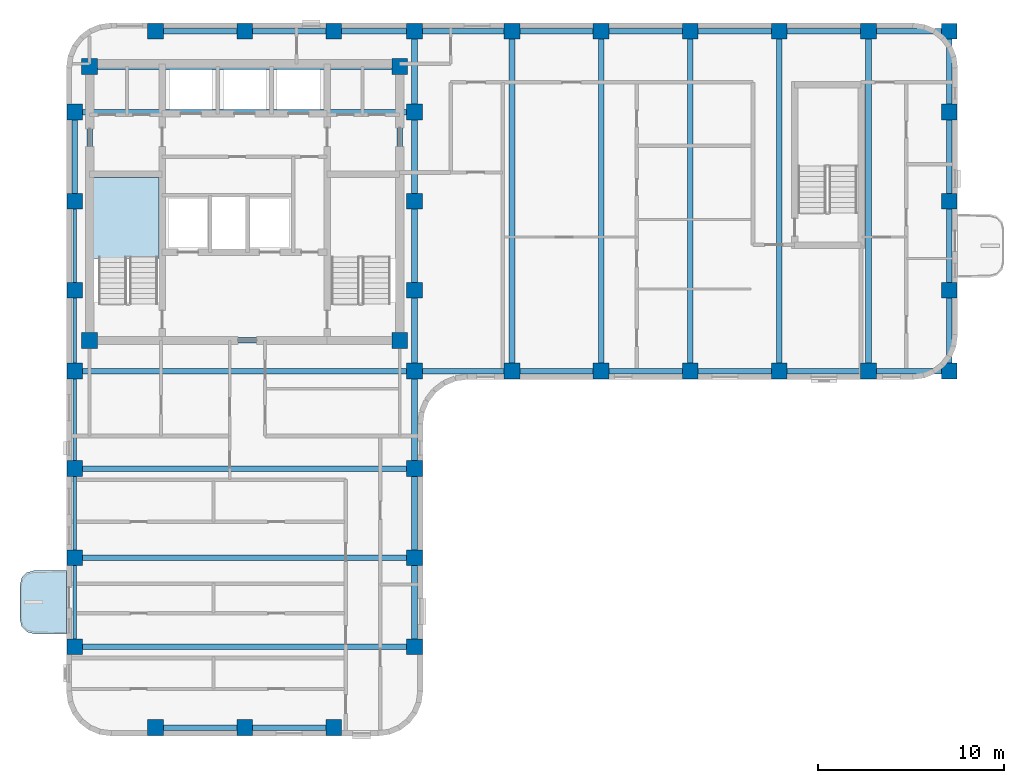
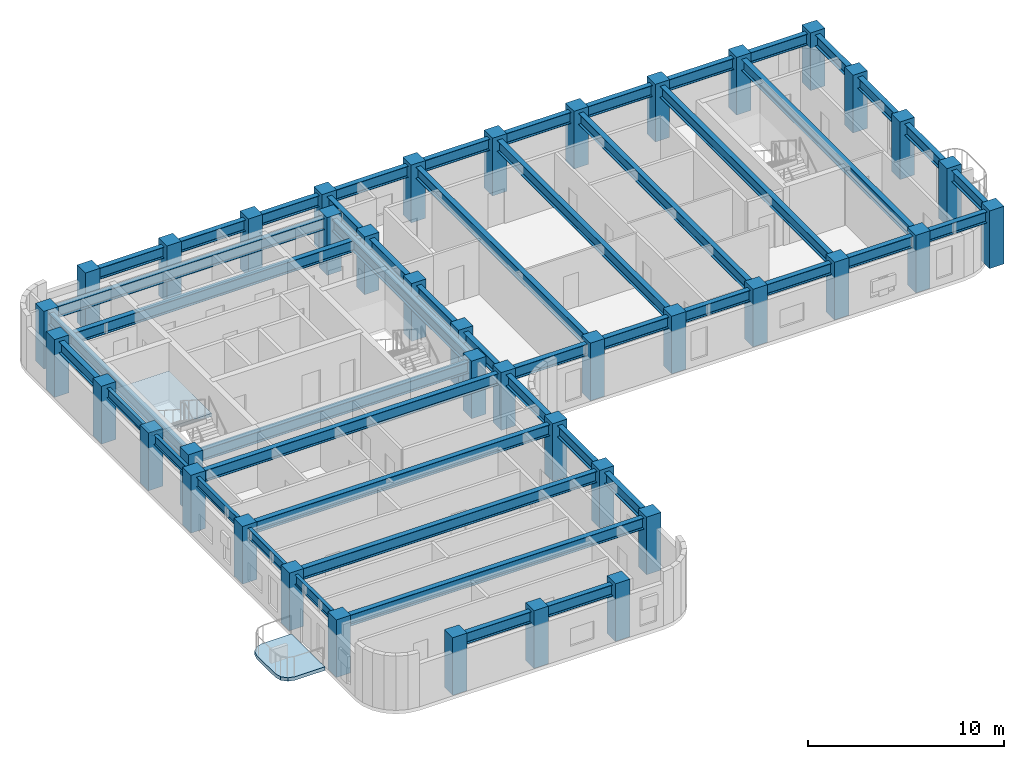
# One storey, part 1 of 10: 48 beams, 40 columns, 2 slabs, 1 element without a shape of its own.
"""IFC4 building model written with IfcOpenShell, lengths in metres."""

from ifc_helpers import new_model, si_unit, direction, frame, origin, origin_2d, place, context, subcontext, project, spatial, polyline, rectangle, i_section, outline, extrude, material, layer, layer_set, material_profile, profile_set, type_object, element, aggregate, save


model = new_model("IFC4")

# Units and contexts
model_context = context("Model", 3, precision=1e-05, world=origin(), true_north=direction((0.0, 1.0)))
body_context = subcontext(model_context, "Body", "Model", "MODEL_VIEW")
ifc_project = project(units=[si_unit("LENGTHUNIT", "METRE"), si_unit("AREAUNIT", "SQUARE_METRE"), si_unit("VOLUMEUNIT", "CUBIC_METRE"), si_unit("PLANEANGLEUNIT", "RADIAN"), si_unit("MASSUNIT", "GRAM", prefix="KILO")], contexts=[model_context])

# Site, building, storey
site_placement = place(None, origin())
site = spatial("IfcSite", under=ifc_project, at=site_placement, CompositionType="ELEMENT")
building_placement = place(site_placement, origin())
building = spatial("IfcBuilding", under=site, at=building_placement, Name="Orvandelia Arch Residences", CompositionType="ELEMENT")
storey_placement = place(building_placement, frame((0.0, 0.0, 232.60009765625)))
storey = spatial("IfcBuildingStorey", under=building, at=storey_placement, Name="L61", CompositionType="ELEMENT", Elevation=232.60009765625)

# Columns
ifc_material_1 = material(Name="Concrete C60/75", Category="concrete")
ifc_material_profile_1 = material_profile(ifc_material_1, rectangle(XDim=0.85009765625, YDim=0.85009765625, at=origin_2d()), Name="Concrete C60/75", Category="concrete")
ifc_profile_set_1 = profile_set([ifc_material_profile_1], Name="Concrete C60/75")
column_type = type_object("IfcColumnType", Name="COL-TWR-850", PredefinedType="COLUMN", material=ifc_profile_set_1)
for number, where, z_axis, x_axis, name in (
    (1, (5.25, 14.39990234375, 0.0), (0.0, 0.0, 1.0), (1.0, 0.0, 0.0), "Structural Column L61-W-W-144"),
    (2, (5.25, 19.199951171875, 0.0), (0.0, 0.0, 1.0), (1.0, 0.0, 0.0), "Structural Column L61-W-W-192"),
    (3, (5.25, 24.0, 0.0), (0.0, 0.0, 1.0), (1.0, 0.0, 0.0), "Structural Column L61-W-W-240"),
    (4, (5.25, 29.25, 0.0), (0.0, 0.0, 1.0), (1.0, 0.0, 0.0), "Structural Column L61-W-W-292"),
    (5, (5.25, 33.60009765625, 0.0), (0.0, 0.0, 1.0), (1.0, 0.0, 0.0), "Structural Column L61-W-W-336"),
    (6, (5.25, 38.39990234375, 0.0), (0.0, 0.0, 1.0), (1.0, 0.0, 0.0), "Structural Column L61-W-W-384"),
    (7, (5.25, 43.199951171875, 0.0), (0.0, 0.0, 1.0), (1.0, 0.0, 0.0), "Structural Column L61-W-W-432"),
    (8, (6.050048828125, 30.89990234375, 0.0), (0.0, 0.0, 1.0), (1.0, 0.0, 0.0), "Structural Column L61-CR-SW"),
    (9, (6.050048828125, 45.64990234375, 0.0), (0.0, 0.0, 1.0), (1.0, 0.0, 0.0), "Structural Column L61-CR-NW"),
    (10, (9.60009765625, 10.050048828125, 0.0), (0.0, 0.0, 1.0), (1.0, 0.0, 0.0), "Structural Column L61-W-S-96"),
    (11, (9.60009765625, 47.550048828125, 0.0), (0.0, 0.0, 1.0), (1.0, 0.0, 0.0), "Structural Column L61-W-N-96"),
    (12, (14.39990234375, 10.050048828125, 0.0), (0.0, 0.0, 1.0), (1.0, 0.0, 0.0), "Structural Column L61-W-S-144"),
    (13, (14.39990234375, 47.550048828125, 0.0), (0.0, 0.0, 1.0), (1.0, 0.0, 0.0), "Structural Column L61-W-N-144"),
    (14, (19.199951171875, 10.050048828125, 0.0), (0.0, 0.0, 1.0), (1.0, 0.0, 0.0), "Structural Column L61-W-S-192"),
    (15, (19.199951171875, 47.550048828125, 0.0), (0.0, 0.0, 1.0), (1.0, 0.0, 0.0), "Structural Column L61-W-N-192"),
    (16, (22.75, 30.89990234375, 0.0), (0.0, 0.0, 1.0), (1.0, 0.0, 0.0), "Structural Column L61-CR-SE"),
    (17, (22.75, 45.64990234375, 0.0), (0.0, 0.0, 1.0), (1.0, 0.0, 0.0), "Structural Column L61-CR-NE"),
    (18, (23.550048828125, 14.39990234375, 0.0), (0.0, 0.0, 1.0), (1.0, 0.0, 0.0), "Structural Column L61-W-E-144"),
    (19, (23.550048828125, 19.199951171875, 0.0), (0.0, 0.0, 1.0), (1.0, 0.0, 0.0), "Structural Column L61-W-E-192"),
    (20, (23.550048828125, 24.0, 0.0), (0.0, 0.0, 1.0), (1.0, 0.0, 0.0), "Structural Column L61-W-E-240"),
    (21, (23.550048828125, 29.25, 0.0), (0.0, 0.0, 1.0), (1.0, 0.0, 0.0), "Structural Column L61-W-E-292"),
    (22, (23.550048828125, 33.60009765625, 0.0), (0.0, 0.0, 1.0), (1.0, 0.0, 0.0), "Structural Column L61-W-E-336"),
    (23, (23.550048828125, 38.39990234375, 0.0), (0.0, 0.0, 1.0), (1.0, 0.0, 0.0), "Structural Column L61-W-E-384"),
    (24, (23.550048828125, 43.199951171875, 0.0), (0.0, 0.0, 1.0), (1.0, 0.0, 0.0), "Structural Column L61-W-E-432"),
    (25, (23.550048828125, 47.550048828125, 0.0), (0.0, 0.0, 1.0), (1.0, 0.0, 0.0), "Structural Column L61-W-N-235"),
    (26, (28.800048828125, 29.25, 0.0), (0.0, 0.0, 1.0), (1.0, 0.0, 0.0), "Structural Column L61-E-S-288"),
    (27, (28.800048828125, 47.550048828125, 0.0), (0.0, 0.0, 1.0), (1.0, 0.0, 0.0), "Structural Column L61-E-N-288"),
    (28, (33.60009765625, 29.25, 0.0), (0.0, 0.0, 1.0), (1.0, 0.0, 0.0), "Structural Column L61-E-S-336"),
    (29, (33.60009765625, 47.550048828125, 0.0), (0.0, 0.0, 1.0), (1.0, 0.0, 0.0), "Structural Column L61-E-N-336"),
    (30, (38.39990234375, 29.25, 0.0), (0.0, 0.0, 1.0), (1.0, 0.0, 0.0), "Structural Column L61-E-S-384"),
    (31, (38.39990234375, 47.550048828125, 0.0), (0.0, 0.0, 1.0), (1.0, 0.0, 0.0), "Structural Column L61-E-N-384"),
    (32, (43.199951171875, 29.25, 0.0), (0.0, 0.0, 1.0), (1.0, 0.0, 0.0), "Structural Column L61-E-S-432"),
    (33, (43.199951171875, 47.550048828125, 0.0), (0.0, 0.0, 1.0), (1.0, 0.0, 0.0), "Structural Column L61-E-N-432"),
    (34, (48.0, 29.25, 0.0), (0.0, 0.0, 1.0), (1.0, 0.0, 0.0), "Structural Column L61-E-S-480"),
    (35, (48.0, 47.550048828125, 0.0), (0.0, 0.0, 1.0), (1.0, 0.0, 0.0), "Structural Column L61-E-N-480"),
    (36, (52.35009765625, 29.25, 0.0), (0.0, 0.0, 1.0), (1.0, 0.0, 0.0), "Structural Column L61-E-S-523"),
    (37, (52.35009765625, 33.60009765625, 0.0), (0.0, 0.0, 1.0), (1.0, 0.0, 0.0), "Structural Column L61-E-523-336"),
    (38, (52.35009765625, 38.39990234375, 0.0), (0.0, 0.0, 1.0), (1.0, 0.0, 0.0), "Structural Column L61-E-523-384"),
    (39, (52.35009765625, 43.199951171875, 0.0), (0.0, 0.0, 1.0), (1.0, 0.0, 0.0), "Structural Column L61-E-523-432"),
    (40, (52.35009765625, 47.550048828125, 0.0), (0.0, 0.0, 1.0), (1.0, 0.0, 0.0), "Structural Column L61-E-N-523"),
):
    element("IfcColumn", number, at=place(storey_placement, frame(where, z_axis=z_axis, x_axis=x_axis)), inside=storey, type_object=column_type, Name=name, PredefinedType="COLUMN", context=body_context, shape_type="SweptSolid", body=[
        extrude(rectangle(XDim=0.85009765625, YDim=0.85009765625, at=origin_2d()), origin(), (0.0, 0.0, 1.0), 3.599853515625),
    ])

# Beams
ifc_material_2 = material(Name="Structural Steel SM355 (355 MPa)", Category="steel")
ifc_material_profile_2 = material_profile(ifc_material_2, i_section(OverallWidth=0.300048828125, OverallDepth=0.699951171875, WebThickness=0.012939453125, FlangeThickness=0.02392578125, FilletRadius=0.02392578125, at=origin_2d()), Name="Structural Steel SM355 (355 MPa)", Category="steel")
ifc_profile_set_2 = profile_set([ifc_material_profile_2], Name="Structural Steel SM355 (355 MPa)")
beam_type_1 = type_object("IfcBeamType", Name="BM-GRD-H700", PredefinedType="BEAM", material=ifc_profile_set_2)
beam_1_placement = place(storey_placement, frame((5.25, 38.39990234375, 3.02978515625), z_axis=(0.0, 1.0, 0.0), x_axis=(-1.0, 0.0, 0.0)))
element("IfcBeam", 41, at=beam_1_placement, inside=storey, type_object=beam_type_1, Name="Structural Frame Beam L61-NS-006", PredefinedType="BEAM", context=body_context, shape_type="SweptSolid", body=[
    extrude(i_section(OverallWidth=0.300048828125, OverallDepth=0.699951171875, WebThickness=0.012939453125, FlangeThickness=0.02392578125, FilletRadius=0.02392578125, at=origin_2d()), origin(), (0.0, 0.0, 1.0), 4.800048828125),
])
for number, where, z_axis, x_axis, name in (
    (42, (6.050048828125, 30.89990234375, 3.02978515625), (0.0, 1.0, 0.0), (-1.0, 0.0, 0.0), "Structural Frame Beam L61-NS-007"),
    (43, (22.75, 30.89990234375, 3.02978515625), (0.0, 1.0, 0.0), (-1.0, 0.0, 0.0), "Structural Frame Beam L61-NS-008"),
):
    element("IfcBeam", number, at=place(storey_placement, frame(where, z_axis=z_axis, x_axis=x_axis)), inside=storey, type_object=beam_type_1, Name=name, PredefinedType="BEAM", context=body_context, shape_type="SweptSolid", body=[
        extrude(i_section(OverallWidth=0.300048828125, OverallDepth=0.699951171875, WebThickness=0.012939453125, FlangeThickness=0.02392578125, FilletRadius=0.02392578125, at=origin_2d()), origin(), (0.0, 0.0, 1.0), 14.75),
    ])
for number, where, z_axis, x_axis, name in (
    (44, (23.550048828125, 14.39990234375, 3.02978515625), (0.0, 1.0, 0.0), (-1.0, 0.0, 0.0), "Structural Frame Beam L61-NS-009"),
    (45, (23.550048828125, 19.199951171875, 3.02978515625), (0.0, 1.0, 0.0), (-1.0, 0.0, 0.0), "Structural Frame Beam L61-NS-010"),
):
    element("IfcBeam", number, at=place(storey_placement, frame(where, z_axis=z_axis, x_axis=x_axis)), inside=storey, type_object=beam_type_1, Name=name, PredefinedType="BEAM", context=body_context, shape_type="SweptSolid", body=[
        extrude(i_section(OverallWidth=0.300048828125, OverallDepth=0.699951171875, WebThickness=0.012939453125, FlangeThickness=0.02392578125, FilletRadius=0.02392578125, at=origin_2d()), origin(), (0.0, 0.0, 1.0), 4.800048828125),
    ])
beam_2_placement = place(storey_placement, frame((23.550048828125, 24.0, 3.02978515625), z_axis=(0.0, 1.0, 0.0), x_axis=(-1.0, 0.0, 0.0)))
element("IfcBeam", 46, at=beam_2_placement, inside=storey, type_object=beam_type_1, Name="Structural Frame Beam L61-NS-011", PredefinedType="BEAM", context=body_context, shape_type="SweptSolid", body=[
    extrude(i_section(OverallWidth=0.300048828125, OverallDepth=0.699951171875, WebThickness=0.012939453125, FlangeThickness=0.02392578125, FilletRadius=0.02392578125, at=origin_2d()), origin(), (0.0, 0.0, 1.0), 5.25),
])
beam_3_placement = place(storey_placement, frame((23.550048828125, 29.25, 3.02978515625), z_axis=(0.0, 1.0, 0.0), x_axis=(-1.0, 0.0, 0.0)))
element("IfcBeam", 47, at=beam_3_placement, inside=storey, type_object=beam_type_1, Name="Structural Frame Beam L61-NS-012", PredefinedType="BEAM", context=body_context, shape_type="SweptSolid", body=[
    extrude(i_section(OverallWidth=0.300048828125, OverallDepth=0.699951171875, WebThickness=0.012939453125, FlangeThickness=0.02392578125, FilletRadius=0.02392578125, at=origin_2d()), origin(), (0.0, 0.0, 1.0), 4.35009765625),
])
beam_4_placement = place(storey_placement, frame((23.550048828125, 33.60009765625, 3.02978515625), z_axis=(0.0, 1.0, 0.0), x_axis=(-1.0, 0.0, 0.0)))
element("IfcBeam", 48, at=beam_4_placement, inside=storey, type_object=beam_type_1, Name="Structural Frame Beam L61-NS-013", PredefinedType="BEAM", context=body_context, shape_type="SweptSolid", body=[
    extrude(i_section(OverallWidth=0.300048828125, OverallDepth=0.699951171875, WebThickness=0.012939453125, FlangeThickness=0.02392578125, FilletRadius=0.02392578125, at=origin_2d()), origin(), (0.0, 0.0, 1.0), 4.7998046875),
])
beam_5_placement = place(storey_placement, frame((23.550048828125, 38.39990234375, 3.02978515625), z_axis=(0.0, 1.0, 0.0), x_axis=(-1.0, 0.0, 0.0)))
element("IfcBeam", 49, at=beam_5_placement, inside=storey, type_object=beam_type_1, Name="Structural Frame Beam L61-NS-014", PredefinedType="BEAM", context=body_context, shape_type="SweptSolid", body=[
    extrude(i_section(OverallWidth=0.300048828125, OverallDepth=0.699951171875, WebThickness=0.012939453125, FlangeThickness=0.02392578125, FilletRadius=0.02392578125, at=origin_2d()), origin(), (0.0, 0.0, 1.0), 4.800048828125),
])
beam_6_placement = place(storey_placement, frame((23.550048828125, 43.199951171875, 3.02978515625), z_axis=(0.0, 1.0, 0.0), x_axis=(-1.0, 0.0, 0.0)))
element("IfcBeam", 50, at=beam_6_placement, inside=storey, type_object=beam_type_1, Name="Structural Frame Beam L61-NS-015", PredefinedType="BEAM", context=body_context, shape_type="SweptSolid", body=[
    extrude(i_section(OverallWidth=0.300048828125, OverallDepth=0.699951171875, WebThickness=0.012939453125, FlangeThickness=0.02392578125, FilletRadius=0.02392578125, at=origin_2d()), origin(), (0.0, 0.0, 1.0), 4.35009765625),
])
for number, where, z_axis, x_axis, name in (
    (51, (28.800048828125, 29.25, 3.02978515625), (0.0, 1.0, 0.0), (-1.0, 0.0, 0.0), "Structural Frame Beam L61-NS-016"),
    (52, (33.60009765625, 29.25, 3.02978515625), (0.0, 1.0, 0.0), (-1.0, 0.0, 0.0), "Structural Frame Beam L61-NS-017"),
    (53, (38.39990234375, 29.25, 3.02978515625), (0.0, 1.0, 0.0), (-1.0, 0.0, 0.0), "Structural Frame Beam L61-NS-018"),
    (54, (43.199951171875, 29.25, 3.02978515625), (0.0, 1.0, 0.0), (-1.0, 0.0, 0.0), "Structural Frame Beam L61-NS-019"),
    (55, (48.0, 29.25, 3.02978515625), (0.0, 1.0, 0.0), (-1.0, 0.0, 0.0), "Structural Frame Beam L61-NS-020"),
):
    element("IfcBeam", number, at=place(storey_placement, frame(where, z_axis=z_axis, x_axis=x_axis)), inside=storey, type_object=beam_type_1, Name=name, PredefinedType="BEAM", context=body_context, shape_type="SweptSolid", body=[
        extrude(i_section(OverallWidth=0.300048828125, OverallDepth=0.699951171875, WebThickness=0.012939453125, FlangeThickness=0.02392578125, FilletRadius=0.02392578125, at=origin_2d()), origin(), (0.0, 0.0, 1.0), 18.300048828125),
    ])
beam_7_placement = place(storey_placement, frame((52.35009765625, 29.25, 3.02978515625), z_axis=(0.0, 1.0, 0.0), x_axis=(-1.0, 0.0, 0.0)))
element("IfcBeam", 56, at=beam_7_placement, inside=storey, type_object=beam_type_1, Name="Structural Frame Beam L61-NS-021", PredefinedType="BEAM", context=body_context, shape_type="SweptSolid", body=[
    extrude(i_section(OverallWidth=0.300048828125, OverallDepth=0.699951171875, WebThickness=0.012939453125, FlangeThickness=0.02392578125, FilletRadius=0.02392578125, at=origin_2d()), origin(), (0.0, 0.0, 1.0), 4.35009765625),
])
beam_8_placement = place(storey_placement, frame((52.35009765625, 33.60009765625, 3.02978515625), z_axis=(0.0, 1.0, 0.0), x_axis=(-1.0, 0.0, 0.0)))
element("IfcBeam", 57, at=beam_8_placement, inside=storey, type_object=beam_type_1, Name="Structural Frame Beam L61-NS-022", PredefinedType="BEAM", context=body_context, shape_type="SweptSolid", body=[
    extrude(i_section(OverallWidth=0.300048828125, OverallDepth=0.699951171875, WebThickness=0.012939453125, FlangeThickness=0.02392578125, FilletRadius=0.02392578125, at=origin_2d()), origin(), (0.0, 0.0, 1.0), 4.7998046875),
])
beam_9_placement = place(storey_placement, frame((52.35009765625, 38.39990234375, 3.02978515625), z_axis=(0.0, 1.0, 0.0), x_axis=(-1.0, 0.0, 0.0)))
element("IfcBeam", 58, at=beam_9_placement, inside=storey, type_object=beam_type_1, Name="Structural Frame Beam L61-NS-023", PredefinedType="BEAM", context=body_context, shape_type="SweptSolid", body=[
    extrude(i_section(OverallWidth=0.300048828125, OverallDepth=0.699951171875, WebThickness=0.012939453125, FlangeThickness=0.02392578125, FilletRadius=0.02392578125, at=origin_2d()), origin(), (0.0, 0.0, 1.0), 4.800048828125),
])
beam_10_placement = place(storey_placement, frame((52.35009765625, 43.199951171875, 3.02978515625), z_axis=(0.0, 1.0, 0.0), x_axis=(-1.0, 0.0, 0.0)))
element("IfcBeam", 59, at=beam_10_placement, inside=storey, type_object=beam_type_1, Name="Structural Frame Beam L61-NS-024", PredefinedType="BEAM", context=body_context, shape_type="SweptSolid", body=[
    extrude(i_section(OverallWidth=0.300048828125, OverallDepth=0.699951171875, WebThickness=0.012939453125, FlangeThickness=0.02392578125, FilletRadius=0.02392578125, at=origin_2d()), origin(), (0.0, 0.0, 1.0), 4.35009765625),
])
beam_11_placement = place(storey_placement, frame((9.60009765625, 10.050048828125, 3.02978515625), z_axis=(1.0, 0.0, 0.0), x_axis=(0.0, 1.0, 0.0)))
element("IfcBeam", 60, at=beam_11_placement, inside=storey, type_object=beam_type_1, Name="Structural Frame Girder L61-EW-025", PredefinedType="BEAM", context=body_context, shape_type="SweptSolid", body=[
    extrude(i_section(OverallWidth=0.300048828125, OverallDepth=0.699951171875, WebThickness=0.012939453125, FlangeThickness=0.02392578125, FilletRadius=0.02392578125, at=origin_2d()), origin(), (0.0, 0.0, 1.0), 4.7998046875),
])
beam_12_placement = place(storey_placement, frame((14.39990234375, 10.050048828125, 3.02978515625), z_axis=(1.0, 0.0, 0.0), x_axis=(0.0, 1.0, 0.0)))
element("IfcBeam", 61, at=beam_12_placement, inside=storey, type_object=beam_type_1, Name="Structural Frame Girder L61-EW-026", PredefinedType="BEAM", context=body_context, shape_type="SweptSolid", body=[
    extrude(i_section(OverallWidth=0.300048828125, OverallDepth=0.699951171875, WebThickness=0.012939453125, FlangeThickness=0.02392578125, FilletRadius=0.02392578125, at=origin_2d()), origin(), (0.0, 0.0, 1.0), 4.800048828125),
])
for number, where, z_axis, x_axis, name in (
    (62, (5.25, 14.39990234375, 3.02978515625), (1.0, 0.0, 0.0), (0.0, 1.0, 0.0), "Structural Frame Girder L61-EW-027"),
    (63, (5.25, 19.199951171875, 3.02978515625), (1.0, 0.0, 0.0), (0.0, 1.0, 0.0), "Structural Frame Girder L61-EW-028"),
    (64, (5.25, 24.0, 3.02978515625), (1.0, 0.0, 0.0), (0.0, 1.0, 0.0), "Structural Frame Girder L61-EW-029"),
    (65, (5.25, 29.25, 3.02978515625), (1.0, 0.0, 0.0), (0.0, 1.0, 0.0), "Structural Frame Girder L61-EW-030"),
):
    element("IfcBeam", number, at=place(storey_placement, frame(where, z_axis=z_axis, x_axis=x_axis)), inside=storey, type_object=beam_type_1, Name=name, PredefinedType="BEAM", context=body_context, shape_type="SweptSolid", body=[
        extrude(i_section(OverallWidth=0.300048828125, OverallDepth=0.699951171875, WebThickness=0.012939453125, FlangeThickness=0.02392578125, FilletRadius=0.02392578125, at=origin_2d()), origin(), (0.0, 0.0, 1.0), 18.300048828125),
    ])
beam_13_placement = place(storey_placement, frame((23.550048828125, 29.25, 3.02978515625), z_axis=(1.0, 0.0, 0.0), x_axis=(0.0, 1.0, 0.0)))
element("IfcBeam", 66, at=beam_13_placement, inside=storey, type_object=beam_type_1, Name="Structural Frame Girder L61-EW-031", PredefinedType="BEAM", context=body_context, shape_type="SweptSolid", body=[
    extrude(i_section(OverallWidth=0.300048828125, OverallDepth=0.699951171875, WebThickness=0.012939453125, FlangeThickness=0.02392578125, FilletRadius=0.02392578125, at=origin_2d()), origin(), (0.0, 0.0, 1.0), 5.25),
])
beam_14_placement = place(storey_placement, frame((28.800048828125, 29.25, 3.02978515625), z_axis=(1.0, 0.0, 0.0), x_axis=(0.0, 1.0, 0.0)))
element("IfcBeam", 67, at=beam_14_placement, inside=storey, type_object=beam_type_1, Name="Structural Frame Girder L61-EW-032", PredefinedType="BEAM", context=body_context, shape_type="SweptSolid", body=[
    extrude(i_section(OverallWidth=0.300048828125, OverallDepth=0.699951171875, WebThickness=0.012939453125, FlangeThickness=0.02392578125, FilletRadius=0.02392578125, at=origin_2d()), origin(), (0.0, 0.0, 1.0), 4.800048828125),
])
beam_15_placement = place(storey_placement, frame((33.60009765625, 29.25, 3.02978515625), z_axis=(1.0, 0.0, 0.0), x_axis=(0.0, 1.0, 0.0)))
element("IfcBeam", 68, at=beam_15_placement, inside=storey, type_object=beam_type_1, Name="Structural Frame Girder L61-EW-033", PredefinedType="BEAM", context=body_context, shape_type="SweptSolid", body=[
    extrude(i_section(OverallWidth=0.300048828125, OverallDepth=0.699951171875, WebThickness=0.012939453125, FlangeThickness=0.02392578125, FilletRadius=0.02392578125, at=origin_2d()), origin(), (0.0, 0.0, 1.0), 4.7998046875),
])
for number, where, z_axis, x_axis, name in (
    (69, (38.39990234375, 29.25, 3.02978515625), (1.0, 0.0, 0.0), (0.0, 1.0, 0.0), "Structural Frame Girder L61-EW-034"),
    (70, (43.199951171875, 29.25, 3.02978515625), (1.0, 0.0, 0.0), (0.0, 1.0, 0.0), "Structural Frame Girder L61-EW-035"),
):
    element("IfcBeam", number, at=place(storey_placement, frame(where, z_axis=z_axis, x_axis=x_axis)), inside=storey, type_object=beam_type_1, Name=name, PredefinedType="BEAM", context=body_context, shape_type="SweptSolid", body=[
        extrude(i_section(OverallWidth=0.300048828125, OverallDepth=0.699951171875, WebThickness=0.012939453125, FlangeThickness=0.02392578125, FilletRadius=0.02392578125, at=origin_2d()), origin(), (0.0, 0.0, 1.0), 4.800048828125),
    ])
beam_16_placement = place(storey_placement, frame((48.0, 29.25, 3.02978515625), z_axis=(1.0, 0.0, 0.0), x_axis=(0.0, 1.0, 0.0)))
element("IfcBeam", 71, at=beam_16_placement, inside=storey, type_object=beam_type_1, Name="Structural Frame Girder L61-EW-036", PredefinedType="BEAM", context=body_context, shape_type="SweptSolid", body=[
    extrude(i_section(OverallWidth=0.300048828125, OverallDepth=0.699951171875, WebThickness=0.012939453125, FlangeThickness=0.02392578125, FilletRadius=0.02392578125, at=origin_2d()), origin(), (0.0, 0.0, 1.0), 4.35009765625),
])
beam_17_placement = place(storey_placement, frame((6.050048828125, 30.89990234375, 3.02978515625), z_axis=(1.0, 0.0, 0.0), x_axis=(0.0, 1.0, 0.0)))
element("IfcBeam", 72, at=beam_17_placement, inside=storey, type_object=beam_type_1, Name="Structural Frame Girder L61-EW-037", PredefinedType="BEAM", context=body_context, shape_type="SweptSolid", body=[
    extrude(i_section(OverallWidth=0.300048828125, OverallDepth=0.699951171875, WebThickness=0.012939453125, FlangeThickness=0.02392578125, FilletRadius=0.02392578125, at=origin_2d()), origin(), (0.0, 0.0, 1.0), 16.699951171875),
])
beam_18_placement = place(storey_placement, frame((5.25, 43.199951171875, 3.02978515625), z_axis=(1.0, 0.0, 0.0), x_axis=(0.0, 1.0, 0.0)))
element("IfcBeam", 73, at=beam_18_placement, inside=storey, type_object=beam_type_1, Name="Structural Frame Girder L61-EW-040", PredefinedType="BEAM", context=body_context, shape_type="SweptSolid", body=[
    extrude(i_section(OverallWidth=0.300048828125, OverallDepth=0.699951171875, WebThickness=0.012939453125, FlangeThickness=0.02392578125, FilletRadius=0.02392578125, at=origin_2d()), origin(), (0.0, 0.0, 1.0), 18.300048828125),
])
beam_19_placement = place(storey_placement, frame((6.050048828125, 45.64990234375, 3.02978515625), z_axis=(1.0, 0.0, 0.0), x_axis=(0.0, 1.0, 0.0)))
element("IfcBeam", 74, at=beam_19_placement, inside=storey, type_object=beam_type_1, Name="Structural Frame Girder L61-EW-041", PredefinedType="BEAM", context=body_context, shape_type="SweptSolid", body=[
    extrude(i_section(OverallWidth=0.300048828125, OverallDepth=0.699951171875, WebThickness=0.012939453125, FlangeThickness=0.02392578125, FilletRadius=0.02392578125, at=origin_2d()), origin(), (0.0, 0.0, 1.0), 16.699951171875),
])
beam_20_placement = place(storey_placement, frame((9.60009765625, 47.550048828125, 3.02978515625), z_axis=(1.0, 0.0, 0.0), x_axis=(0.0, 1.0, 0.0)))
element("IfcBeam", 75, at=beam_20_placement, inside=storey, type_object=beam_type_1, Name="Structural Frame Girder L61-EW-042", PredefinedType="BEAM", context=body_context, shape_type="SweptSolid", body=[
    extrude(i_section(OverallWidth=0.300048828125, OverallDepth=0.699951171875, WebThickness=0.012939453125, FlangeThickness=0.02392578125, FilletRadius=0.02392578125, at=origin_2d()), origin(), (0.0, 0.0, 1.0), 4.7998046875),
])
beam_21_placement = place(storey_placement, frame((14.39990234375, 47.550048828125, 3.02978515625), z_axis=(1.0, 0.0, 0.0), x_axis=(0.0, 1.0, 0.0)))
element("IfcBeam", 76, at=beam_21_placement, inside=storey, type_object=beam_type_1, Name="Structural Frame Girder L61-EW-043", PredefinedType="BEAM", context=body_context, shape_type="SweptSolid", body=[
    extrude(i_section(OverallWidth=0.300048828125, OverallDepth=0.699951171875, WebThickness=0.012939453125, FlangeThickness=0.02392578125, FilletRadius=0.02392578125, at=origin_2d()), origin(), (0.0, 0.0, 1.0), 4.800048828125),
])
beam_22_placement = place(storey_placement, frame((19.199951171875, 47.550048828125, 3.02978515625), z_axis=(1.0, 0.0, 0.0), x_axis=(0.0, 1.0, 0.0)))
element("IfcBeam", 77, at=beam_22_placement, inside=storey, type_object=beam_type_1, Name="Structural Frame Girder L61-EW-044", PredefinedType="BEAM", context=body_context, shape_type="SweptSolid", body=[
    extrude(i_section(OverallWidth=0.300048828125, OverallDepth=0.699951171875, WebThickness=0.012939453125, FlangeThickness=0.02392578125, FilletRadius=0.02392578125, at=origin_2d()), origin(), (0.0, 0.0, 1.0), 4.35009765625),
])
beam_23_placement = place(storey_placement, frame((23.550048828125, 47.550048828125, 3.02978515625), z_axis=(1.0, 0.0, 0.0), x_axis=(0.0, 1.0, 0.0)))
element("IfcBeam", 78, at=beam_23_placement, inside=storey, type_object=beam_type_1, Name="Structural Frame Girder L61-EW-045", PredefinedType="BEAM", context=body_context, shape_type="SweptSolid", body=[
    extrude(i_section(OverallWidth=0.300048828125, OverallDepth=0.699951171875, WebThickness=0.012939453125, FlangeThickness=0.02392578125, FilletRadius=0.02392578125, at=origin_2d()), origin(), (0.0, 0.0, 1.0), 5.25),
])
beam_24_placement = place(storey_placement, frame((28.800048828125, 47.550048828125, 3.02978515625), z_axis=(1.0, 0.0, 0.0), x_axis=(0.0, 1.0, 0.0)))
element("IfcBeam", 79, at=beam_24_placement, inside=storey, type_object=beam_type_1, Name="Structural Frame Girder L61-EW-046", PredefinedType="BEAM", context=body_context, shape_type="SweptSolid", body=[
    extrude(i_section(OverallWidth=0.300048828125, OverallDepth=0.699951171875, WebThickness=0.012939453125, FlangeThickness=0.02392578125, FilletRadius=0.02392578125, at=origin_2d()), origin(), (0.0, 0.0, 1.0), 4.800048828125),
])
beam_25_placement = place(storey_placement, frame((33.60009765625, 47.550048828125, 3.02978515625), z_axis=(1.0, 0.0, 0.0), x_axis=(0.0, 1.0, 0.0)))
element("IfcBeam", 80, at=beam_25_placement, inside=storey, type_object=beam_type_1, Name="Structural Frame Girder L61-EW-047", PredefinedType="BEAM", context=body_context, shape_type="SweptSolid", body=[
    extrude(i_section(OverallWidth=0.300048828125, OverallDepth=0.699951171875, WebThickness=0.012939453125, FlangeThickness=0.02392578125, FilletRadius=0.02392578125, at=origin_2d()), origin(), (0.0, 0.0, 1.0), 4.7998046875),
])
for number, where, z_axis, x_axis, name in (
    (81, (38.39990234375, 47.550048828125, 3.02978515625), (1.0, 0.0, 0.0), (0.0, 1.0, 0.0), "Structural Frame Girder L61-EW-048"),
    (82, (43.199951171875, 47.550048828125, 3.02978515625), (1.0, 0.0, 0.0), (0.0, 1.0, 0.0), "Structural Frame Girder L61-EW-049"),
):
    element("IfcBeam", number, at=place(storey_placement, frame(where, z_axis=z_axis, x_axis=x_axis)), inside=storey, type_object=beam_type_1, Name=name, PredefinedType="BEAM", context=body_context, shape_type="SweptSolid", body=[
        extrude(i_section(OverallWidth=0.300048828125, OverallDepth=0.699951171875, WebThickness=0.012939453125, FlangeThickness=0.02392578125, FilletRadius=0.02392578125, at=origin_2d()), origin(), (0.0, 0.0, 1.0), 4.800048828125),
    ])
beam_26_placement = place(storey_placement, frame((48.0, 47.550048828125, 3.02978515625), z_axis=(1.0, 0.0, 0.0), x_axis=(0.0, 1.0, 0.0)))
element("IfcBeam", 83, at=beam_26_placement, inside=storey, type_object=beam_type_1, Name="Structural Frame Girder L61-EW-050", PredefinedType="BEAM", context=body_context, shape_type="SweptSolid", body=[
    extrude(i_section(OverallWidth=0.300048828125, OverallDepth=0.699951171875, WebThickness=0.012939453125, FlangeThickness=0.02392578125, FilletRadius=0.02392578125, at=origin_2d()), origin(), (0.0, 0.0, 1.0), 4.35009765625),
])
ifc_material_profile_3 = material_profile(ifc_material_2, i_section(OverallWidth=0.199951171875, OverallDepth=0.60009765625, WebThickness=0.010986328125, FlangeThickness=0.01708984375, FilletRadius=0.02197265625, at=origin_2d()), Name="Structural Steel SM355 (355 MPa)", Category="steel")
ifc_profile_set_3 = profile_set([ifc_material_profile_3], Name="Structural Steel SM355 (355 MPa)")
beam_type_2 = type_object("IfcBeamType", Name="BM-SPN-H600", PredefinedType="SPANDREL", material=ifc_profile_set_3)
for number, where, z_axis, x_axis, name in (
    (84, (5.25, 14.39990234375, 3.079833984375), (0.0, 1.0, 0.0), (-1.0, 0.0, 0.0), "Structural Frame Beam L61-NS-001"),
    (85, (5.25, 19.199951171875, 3.079833984375), (0.0, 1.0, 0.0), (-1.0, 0.0, 0.0), "Structural Frame Beam L61-NS-002"),
):
    element("IfcBeam", number, at=place(storey_placement, frame(where, z_axis=z_axis, x_axis=x_axis)), inside=storey, type_object=beam_type_2, Name=name, PredefinedType="SPANDREL", context=body_context, shape_type="SweptSolid", body=[
        extrude(i_section(OverallWidth=0.199951171875, OverallDepth=0.60009765625, WebThickness=0.010986328125, FlangeThickness=0.01708984375, FilletRadius=0.02197265625, at=origin_2d()), origin(), (0.0, 0.0, 1.0), 4.800048828125),
    ])
beam_27_placement = place(storey_placement, frame((5.25, 24.0, 3.079833984375), z_axis=(0.0, 1.0, 0.0), x_axis=(-1.0, 0.0, 0.0)))
element("IfcBeam", 86, at=beam_27_placement, inside=storey, type_object=beam_type_2, Name="Structural Frame Beam L61-NS-003", PredefinedType="SPANDREL", context=body_context, shape_type="SweptSolid", body=[
    extrude(i_section(OverallWidth=0.199951171875, OverallDepth=0.60009765625, WebThickness=0.010986328125, FlangeThickness=0.01708984375, FilletRadius=0.02197265625, at=origin_2d()), origin(), (0.0, 0.0, 1.0), 5.25),
])
beam_28_placement = place(storey_placement, frame((5.25, 29.25, 3.079833984375), z_axis=(0.0, 1.0, 0.0), x_axis=(-1.0, 0.0, 0.0)))
element("IfcBeam", 87, at=beam_28_placement, inside=storey, type_object=beam_type_2, Name="Structural Frame Beam L61-NS-004", PredefinedType="SPANDREL", context=body_context, shape_type="SweptSolid", body=[
    extrude(i_section(OverallWidth=0.199951171875, OverallDepth=0.60009765625, WebThickness=0.010986328125, FlangeThickness=0.01708984375, FilletRadius=0.02197265625, at=origin_2d()), origin(), (0.0, 0.0, 1.0), 4.35009765625),
])
beam_29_placement = place(storey_placement, frame((5.25, 33.60009765625, 3.079833984375), z_axis=(0.0, 1.0, 0.0), x_axis=(-1.0, 0.0, 0.0)))
element("IfcBeam", 88, at=beam_29_placement, inside=storey, type_object=beam_type_2, Name="Structural Frame Beam L61-NS-005", PredefinedType="SPANDREL", context=body_context, shape_type="SweptSolid", body=[
    extrude(i_section(OverallWidth=0.199951171875, OverallDepth=0.60009765625, WebThickness=0.010986328125, FlangeThickness=0.01708984375, FilletRadius=0.02197265625, at=origin_2d()), origin(), (0.0, 0.0, 1.0), 4.7998046875),
])

# Slab
ifc_material_3 = material(Name="Precast concrete C40/50", Category="concrete")
ifc_layer_1 = layer(ifc_material_3, 0.219970703125, Name="Precast concrete C40/50", Category="concrete")
ifc_layer_set_1 = layer_set([ifc_layer_1], Name="Precast concrete C40/50")
slab_type_1 = type_object("IfcSlabType", Name="SLB-BAL-220", PredefinedType="USERDEFINED", material=ifc_layer_set_1)
slab_1_placement = place(storey_placement, frame((0.0, 0.0, -0.22021484375)))
element("IfcSlab", 89, at=slab_1_placement, inside=storey, type_object=slab_type_1, Name="Tree Balcony Cantilever Slab BAL-L61-W1", ObjectType="BALCONY", PredefinedType="USERDEFINED", context=body_context, shape_type="SweptSolid", body=[
    extrude(outline(polyline([(4.800048828125, 15.10009765625), (4.800048828125, 18.5), (3.050048828125, 18.5), (2.675048828125, 18.3994140625), (2.400390625, 18.125), (2.300048828125, 17.75), (2.300048828125, 15.85009765625), (2.400390625, 15.47509765625), (2.675048828125, 15.200439453125), (3.050048828125, 15.10009765625), (4.800048828125, 15.10009765625)])), origin(), (0.0, 0.0, 1.0), 0.22021484375),
])

# Stair, slab
ifc_material_4 = material(Name="Concrete C40/50", Category="concrete")
stair_type = type_object("IfcStairType", Name="STAIR-RC-DOGLEG", PredefinedType="HALF_TURN_STAIR", material=ifc_material_4)
stair_placement = place(storey_placement, origin())
stair = element("IfcStair", 90, at=stair_placement, inside=storey, type_object=stair_type, Name="L61 Protected Exit Stair ST-1", PredefinedType="HALF_TURN_STAIR")
ifc_layer_2 = layer(ifc_material_4, 0.219970703125, Name="Concrete C40/50", Category="concrete")
ifc_layer_set_2 = layer_set([ifc_layer_2], Name="Concrete C40/50")
slab_type_2 = type_object("IfcSlabType", Name="SLB-LANDING-220", PredefinedType="LANDING", material=ifc_layer_set_2)
slab_2_placement = place(storey_placement, frame((0.0, 0.0, 1.599853515625)))
slab_2 = element("IfcSlab", 91, at=slab_2_placement, type_object=slab_type_2, Name="ST-1 landing 1", PredefinedType="LANDING", context=body_context, shape_type="SweptSolid", body=[
    extrude(outline(polyline([(9.800048828125, 35.31005859375), (9.800048828125, 39.68994140625), (6.260009765625, 39.68994140625), (6.260009765625, 35.31005859375), (9.800048828125, 35.31005859375)])), origin(), (0.0, 0.0, 1.0), 0.199951171875),
])
aggregate(stair, [slab_2])

save(model, "model.ifc")
